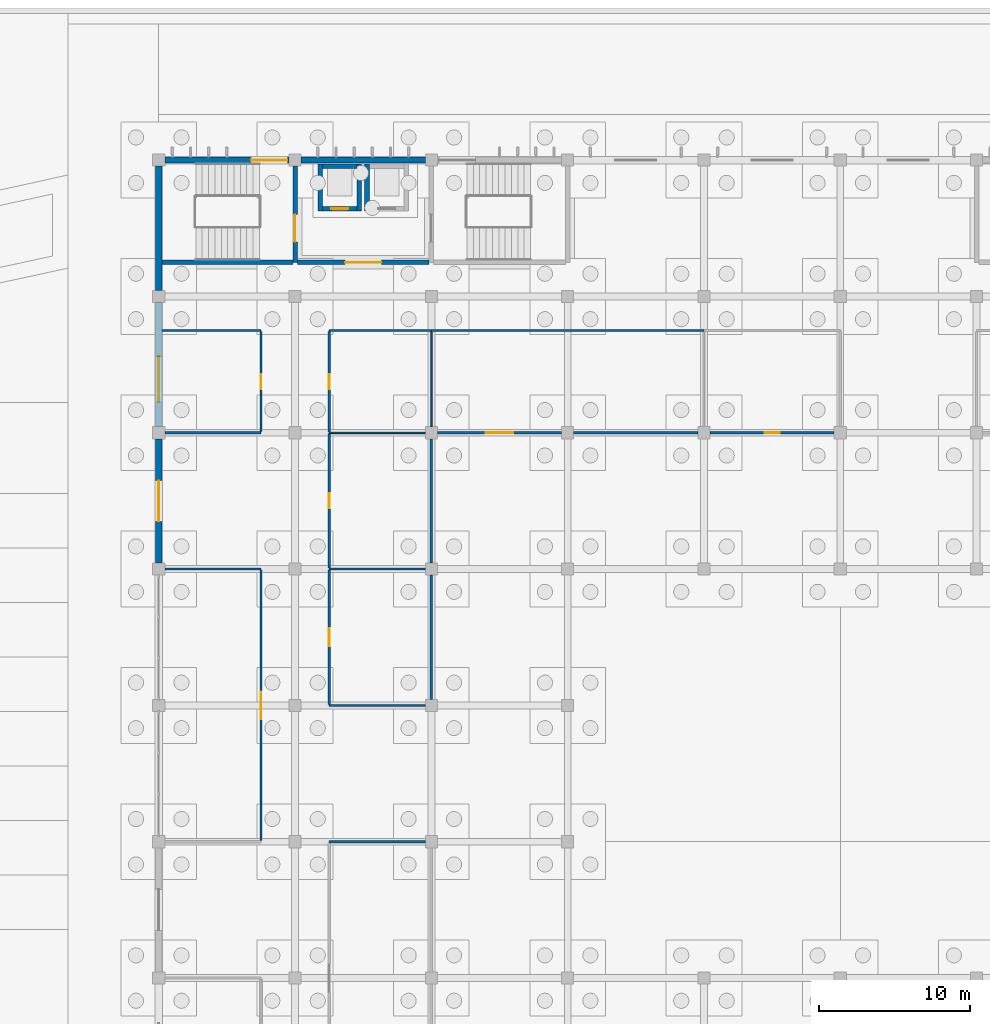
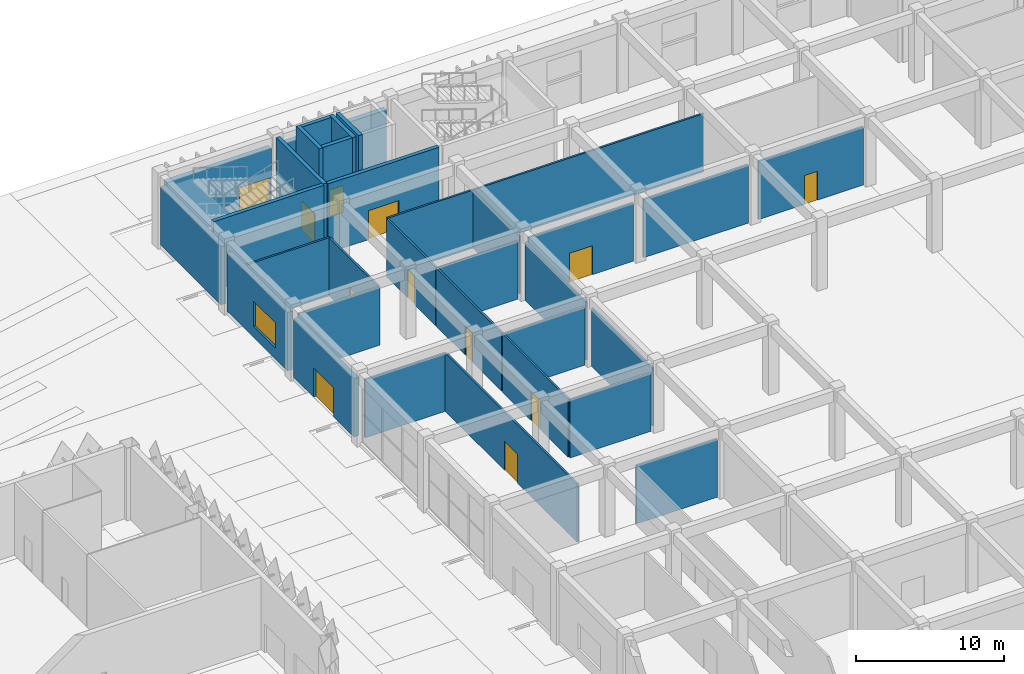
# One storey, part 105 of 198: 33 walls, 12 doors, 1 window, 13 openings.
"""IFC4 building model written with IfcOpenShell, lengths in metres."""

from ifc_helpers import new_model, si_unit, direction, frame, frame_2d, origin, place, context, subcontext, project, spatial, rectangle, extrude, material, layer, layer_set, type_object, element, fill, save


model = new_model("IFC4")

# Units and contexts
model_context = context("Model", 3, precision=1e-05, world=origin(), true_north=direction((0.0, 1.0)))
body_context = subcontext(model_context, "Body", "Model", "MODEL_VIEW")
ifc_project = project(units=[si_unit("LENGTHUNIT", "METRE"), si_unit("AREAUNIT", "SQUARE_METRE"), si_unit("VOLUMEUNIT", "CUBIC_METRE"), si_unit("PLANEANGLEUNIT", "RADIAN"), si_unit("MASSUNIT", "GRAM", prefix="KILO")], contexts=[model_context])

# Site, building, storey
site_placement = place(None, origin())
site = spatial("IfcSite", under=ifc_project, at=site_placement, CompositionType="ELEMENT")
building_placement = place(site_placement, origin())
building = spatial("IfcBuilding", under=site, at=building_placement, Name="Opaline Strait Convention Centre", CompositionType="ELEMENT")
storey_placement = place(building_placement, origin())
storey = spatial("IfcBuildingStorey", under=building, at=storey_placement, Name="L00", CompositionType="ELEMENT", Elevation=0.0)

# Wall
ifc_material_1 = material(Name="Gypsum board")
ifc_layer_1 = layer(ifc_material_1, 0.032470703125)
ifc_material_2 = material(Name="Steel stud and mineral wool", Category="steel")
ifc_layer_2 = layer(ifc_material_2, 0.0849609375)
ifc_layer_3 = layer(ifc_material_1, 0.032470703125)
ifc_layer_set_1 = layer_set([ifc_layer_1, ifc_layer_2, ifc_layer_3], Name="Gypsum board, Steel stud and mineral wool, Gypsum board")
wall_type_1 = type_object("IfcWallType", Name="Corridor partition 150 EI60", PredefinedType="PARTITIONING", material=ifc_layer_set_1)
wall_1_placement = place(storey_placement, frame((279.39990234375, 153.0, 0.0), z_axis=(0.0, 0.0, 1.0), x_axis=(1.0, 0.0, 0.0)))
element("IfcWall", 1, at=wall_1_placement, inside=storey, type_object=wall_type_1, Name="MPW1 partition Delegate Lounge 0.04 N", PredefinedType="PARTITIONING", context=body_context, shape_type="SweptSolid", body=[
    extrude(rectangle(XDim=6.35009765625, YDim=0.14990234375, at=frame_2d((3.175048828125, 0.0))), origin(), (0.0, 0.0, 1.0), 4.820068359375),
])

# Wall, opening, door
wall_2_placement = place(storey_placement, frame((285.75, 135.074951171875, 0.0), z_axis=(0.0, 0.0, 1.0), x_axis=(0.0, 1.0, 0.0)))
wall_2 = element("IfcWall", 2, at=wall_2_placement, inside=storey, type_object=wall_type_1, Name="MPW1 partition Delegate Lounge 0.04 E", PredefinedType="PARTITIONING", context=body_context, shape_type="SweptSolid", body=[
    extrude(rectangle(XDim=17.85009765625, YDim=0.14990234375, at=frame_2d((8.925048828125, 0.0))), origin(), (0.0, 0.0, 1.0), 4.820068359375),
])
opening_1_placement = place(wall_2_placement, frame((8.025146484375, 0.0, 0.0)))
opening_1 = element("IfcOpeningElement", 3, at=opening_1_placement, cuts=wall_2, Name="Opening M0-039", PredefinedType="OPENING", context=body_context, shape_type="SweptSolid", body=[
    extrude(rectangle(XDim=1.800048828125, YDim=2.39990234375, at=frame_2d((0.89990234375, 1.199951171875))), frame((0.0, 0.0849609375, 0.0), z_axis=(0.0, -1.0, 0.0), x_axis=(1.0, 0.0, 0.0)), (0.0, 0.0, 1.0), 0.169921875),
])
ifc_material_3 = material(Name="Solid-core timber leaf, steel frame door set", Category="steel")
door_type_1 = type_object("IfcDoorType", Name="Meeting room double door FD30 1800 x 2400", OperationType="DOUBLE_DOOR_SINGLE_SWING", PredefinedType="DOOR", material=ifc_material_3)
door_1_placement = place(opening_1_placement, frame((1.800048828125, 0.0, 0.0), z_axis=(0.0, 0.0, 1.0), x_axis=(-1.0, 0.0, 0.0)))
door_1 = element("IfcDoor", 4, at=door_1_placement, inside=storey, type_object=door_type_1, Name="Door Delegate Lounge 0.04", ObjectType="MD7", OperationType="DOUBLE_DOOR_SINGLE_SWING", OverallHeight=2.39990234375, OverallWidth=1.800048828125, PredefinedType="DOOR", context=body_context, shape_type="SweptSolid", body=[
    extrude(rectangle(XDim=1.800048828125, YDim=2.39990234375, at=frame_2d((0.89990234375, 1.199951171875))), frame((0.0, 0.02490234375, 0.0), z_axis=(0.0, -1.0, 0.0), x_axis=(1.0, 0.0, 0.0)), (0.0, 0.0, 1.0), 0.050048828125),
])
fill(opening_1, door_1)

# Walls
wall_3_placement = place(storey_placement, frame((279.39990234375, 162.0, 0.0), z_axis=(0.0, 0.0, 1.0), x_axis=(1.0, 0.0, 0.0)))
element("IfcWall", 5, at=wall_3_placement, inside=storey, type_object=wall_type_1, Name="MPW1 partition Organiser Office 0.06 S", PredefinedType="PARTITIONING", context=body_context, shape_type="SweptSolid", body=[
    extrude(rectangle(XDim=6.35009765625, YDim=0.14990234375, at=frame_2d((3.175048828125, 0.0))), origin(), (0.0, 0.0, 1.0), 4.820068359375),
])
wall_4_placement = place(storey_placement, frame((279.199951171875, 168.75, 0.0), z_axis=(0.0, 0.0, 1.0), x_axis=(1.0, 0.0, 0.0)))
element("IfcWall", 6, at=wall_4_placement, inside=storey, type_object=wall_type_1, Name="MPW1 partition Organiser Office 0.06 N", PredefinedType="PARTITIONING", context=body_context, shape_type="SweptSolid", body=[
    extrude(rectangle(XDim=6.550048828125, YDim=0.14990234375, at=frame_2d((3.27490234375, 0.0))), origin(), (0.0, 0.0, 1.0), 4.820068359375),
])

# Wall, opening, door
wall_5_placement = place(storey_placement, frame((285.75, 162.074951171875, 0.0), z_axis=(0.0, 0.0, 1.0), x_axis=(0.0, 1.0, 0.0)))
wall_5 = element("IfcWall", 7, at=wall_5_placement, inside=storey, type_object=wall_type_1, Name="MPW1 partition Organiser Office 0.06 E", PredefinedType="PARTITIONING", context=body_context, shape_type="SweptSolid", body=[
    extrude(rectangle(XDim=6.60009765625, YDim=0.14990234375, at=frame_2d((3.300048828125, 0.0))), origin(), (0.0, 0.0, 1.0), 4.820068359375),
])
opening_2_placement = place(wall_5_placement, frame((2.800048828125, 0.0, 0.0)))
opening_2 = element("IfcOpeningElement", 8, at=opening_2_placement, cuts=wall_5, Name="Opening M0-040", PredefinedType="OPENING", context=body_context, shape_type="SweptSolid", body=[
    extrude(rectangle(XDim=1.0, YDim=2.39990234375, at=frame_2d((0.5, 1.199951171875))), frame((0.0, 0.0849609375, 0.0), z_axis=(0.0, -1.0, 0.0), x_axis=(1.0, 0.0, 0.0)), (0.0, 0.0, 1.0), 0.169921875),
])
door_type_2 = type_object("IfcDoorType", Name="Meeting room door FD30 1000 x 2400", OperationType="SINGLE_SWING_LEFT", PredefinedType="DOOR", material=ifc_material_3)
door_2_placement = place(opening_2_placement, frame((1.0, 0.0, 0.0), z_axis=(0.0, 0.0, 1.0), x_axis=(-1.0, 0.0, 0.0)))
door_2 = element("IfcDoor", 9, at=door_2_placement, inside=storey, type_object=door_type_2, Name="Door Organiser Office 0.06", ObjectType="MD8", OperationType="SINGLE_SWING_LEFT", OverallHeight=2.39990234375, OverallWidth=1.0, PredefinedType="DOOR", context=body_context, shape_type="SweptSolid", body=[
    extrude(rectangle(XDim=1.0, YDim=2.39990234375, at=frame_2d((0.5, 1.199951171875))), frame((0.0, 0.02490234375, 0.0), z_axis=(0.0, -1.0, 0.0), x_axis=(1.0, 0.0, 0.0)), (0.0, 0.0, 1.0), 0.050048828125),
])
fill(opening_2, door_2)

# Wall
wall_6_placement = place(storey_placement, frame((290.25, 135.0, 0.0), z_axis=(0.0, 0.0, 1.0), x_axis=(1.0, 0.0, 0.0)))
element("IfcWall", 10, at=wall_6_placement, inside=storey, type_object=wall_type_1, Name="MPW1 partition Press Room 0.08 N", PredefinedType="PARTITIONING", context=body_context, shape_type="SweptSolid", body=[
    extrude(rectangle(XDim=6.35009765625, YDim=0.14990234375, at=frame_2d((3.175048828125, 0.0))), origin(), (0.0, 0.0, 1.0), 4.820068359375),
])

# Wall, opening, door
wall_7_placement = place(storey_placement, frame((290.25, 153.074951171875, 0.0), z_axis=(0.0, 0.0, 1.0), x_axis=(0.0, 1.0, 0.0)))
wall_7 = element("IfcWall", 11, at=wall_7_placement, inside=storey, type_object=wall_type_1, Name="MPW1 partition Table Store 0.10 W", PredefinedType="PARTITIONING", context=body_context, shape_type="SweptSolid", body=[
    extrude(rectangle(XDim=8.875, YDim=0.14990234375, at=frame_2d((4.4375, 0.0))), origin(), (0.0, 0.0, 1.0), 4.820068359375),
])
opening_3_placement = place(wall_7_placement, frame((3.9375, 0.0, 0.0)))
opening_3 = element("IfcOpeningElement", 12, at=opening_3_placement, cuts=wall_7, Name="Opening M0-044", PredefinedType="OPENING", context=body_context, shape_type="SweptSolid", body=[
    extrude(rectangle(XDim=1.0, YDim=2.39990234375, at=frame_2d((0.5, 1.199951171875))), frame((0.0, 0.0849609375, 0.0), z_axis=(0.0, -1.0, 0.0), x_axis=(1.0, 0.0, 0.0)), (0.0, 0.0, 1.0), 0.169921875),
])
door_3_placement = place(opening_3_placement, origin())
door_3 = element("IfcDoor", 13, at=door_3_placement, inside=storey, type_object=door_type_2, Name="Door Table Store 0.10", ObjectType="MD8", OperationType="SINGLE_SWING_LEFT", OverallHeight=2.39990234375, OverallWidth=1.0, PredefinedType="DOOR", context=body_context, shape_type="SweptSolid", body=[
    extrude(rectangle(XDim=1.0, YDim=2.39990234375, at=frame_2d((0.5, 1.199951171875))), frame((0.0, 0.02490234375, 0.0), z_axis=(0.0, -1.0, 0.0), x_axis=(1.0, 0.0, 0.0)), (0.0, 0.0, 1.0), 0.050048828125),
])
fill(opening_3, door_3)

# Walls
wall_8_placement = place(storey_placement, frame((297.0, 153.39990234375, 0.0), z_axis=(0.0, 0.0, 1.0), x_axis=(0.0, 1.0, 0.0)))
element("IfcWall", 14, at=wall_8_placement, inside=storey, type_object=wall_type_1, Name="MPW1 partition Table Store 0.10 E", PredefinedType="PARTITIONING", context=body_context, shape_type="SweptSolid", body=[
    extrude(rectangle(XDim=8.2001953125, YDim=0.14990234375, at=frame_2d((4.10009765625, 0.0))), origin(), (0.0, 0.0, 1.0), 4.820068359375),
])
wall_9_placement = place(storey_placement, frame((290.25, 168.75, 0.0), z_axis=(0.0, 0.0, 1.0), x_axis=(1.0, 0.0, 0.0)))
element("IfcWall", 15, at=wall_9_placement, inside=storey, type_object=wall_type_1, Name="MPW1 partition Chair Store 0.11 N", PredefinedType="PARTITIONING", context=body_context, shape_type="SweptSolid", body=[
    extrude(rectangle(XDim=6.75, YDim=0.14990234375, at=frame_2d((3.375, 0.0))), origin(), (0.0, 0.0, 1.0), 4.820068359375),
])

# Wall, opening, door
wall_10_placement = place(storey_placement, frame((290.25, 162.050048828125, 0.0), z_axis=(0.0, 0.0, 1.0), x_axis=(0.0, 1.0, 0.0)))
wall_10 = element("IfcWall", 16, at=wall_10_placement, inside=storey, type_object=wall_type_1, Name="MPW1 partition Chair Store 0.11 W", PredefinedType="PARTITIONING", context=body_context, shape_type="SweptSolid", body=[
    extrude(rectangle(XDim=6.625, YDim=0.14990234375, at=frame_2d((3.3125, 0.0))), origin(), (0.0, 0.0, 1.0), 4.820068359375),
])
opening_4_placement = place(wall_10_placement, frame((2.8125, 0.0, 0.0)))
opening_4 = element("IfcOpeningElement", 17, at=opening_4_placement, cuts=wall_10, Name="Opening M0-045", PredefinedType="OPENING", context=body_context, shape_type="SweptSolid", body=[
    extrude(rectangle(XDim=1.0, YDim=2.39990234375, at=frame_2d((0.5, 1.199951171875))), frame((0.0, 0.0849609375, 0.0), z_axis=(0.0, -1.0, 0.0), x_axis=(1.0, 0.0, 0.0)), (0.0, 0.0, 1.0), 0.169921875),
])
door_4_placement = place(opening_4_placement, origin())
door_4 = element("IfcDoor", 18, at=door_4_placement, inside=storey, type_object=door_type_2, Name="Door Chair Store 0.11", ObjectType="MD8", OperationType="SINGLE_SWING_LEFT", OverallHeight=2.39990234375, OverallWidth=1.0, PredefinedType="DOOR", context=body_context, shape_type="SweptSolid", body=[
    extrude(rectangle(XDim=1.0, YDim=2.39990234375, at=frame_2d((0.5, 1.199951171875))), frame((0.0, 0.02490234375, 0.0), z_axis=(0.0, -1.0, 0.0), x_axis=(1.0, 0.0, 0.0)), (0.0, 0.0, 1.0), 0.050048828125),
])
fill(opening_4, door_4)

wall_11_placement = place(storey_placement, frame((297.39990234375, 162.0, 0.0), z_axis=(0.0, 0.0, 1.0), x_axis=(1.0, 0.0, 0.0)))
wall_11 = element("IfcWall", 19, at=wall_11_placement, inside=storey, type_object=wall_type_1, Name="MPW1 partition Information Desk 0.19 S", PredefinedType="PARTITIONING", context=body_context, shape_type="SweptSolid", body=[
    extrude(rectangle(XDim=8.2001953125, YDim=0.14990234375, at=frame_2d((4.10009765625, 0.0))), origin(), (0.0, 0.0, 1.0), 4.820068359375),
])
opening_5_placement = place(wall_11_placement, frame((3.2001953125, 0.0, 0.0)))
opening_5 = element("IfcOpeningElement", 20, at=opening_5_placement, cuts=wall_11, Name="Opening M0-053", PredefinedType="OPENING", context=body_context, shape_type="SweptSolid", body=[
    extrude(rectangle(XDim=1.800048828125, YDim=2.39990234375, at=frame_2d((0.89990234375, 1.199951171875))), frame((0.0, 0.0849609375, 0.0), z_axis=(0.0, -1.0, 0.0), x_axis=(1.0, 0.0, 0.0)), (0.0, 0.0, 1.0), 0.169921875),
])
door_5_placement = place(opening_5_placement, frame((1.800048828125, 0.0, 0.0), z_axis=(0.0, 0.0, 1.0), x_axis=(-1.0, 0.0, 0.0)))
door_5 = element("IfcDoor", 21, at=door_5_placement, inside=storey, type_object=door_type_1, Name="Door Information Desk 0.19", ObjectType="MD7", OperationType="DOUBLE_DOOR_SINGLE_SWING", OverallHeight=2.39990234375, OverallWidth=1.800048828125, PredefinedType="DOOR", context=body_context, shape_type="SweptSolid", body=[
    extrude(rectangle(XDim=1.800048828125, YDim=2.39990234375, at=frame_2d((0.89990234375, 1.199951171875))), frame((0.0, 0.02490234375, 0.0), z_axis=(0.0, -1.0, 0.0), x_axis=(1.0, 0.0, 0.0)), (0.0, 0.0, 1.0), 0.050048828125),
])
fill(opening_5, door_5)

# Walls
wall_12_placement = place(storey_placement, frame((306.39990234375, 162.0, 0.0), z_axis=(0.0, 0.0, 1.0), x_axis=(1.0, 0.0, 0.0)))
element("IfcWall", 22, at=wall_12_placement, inside=storey, type_object=wall_type_1, Name="MPW1 partition Information Desk 0.19 S", PredefinedType="PARTITIONING", context=body_context, shape_type="SweptSolid", body=[
    extrude(rectangle(XDim=8.2001953125, YDim=0.14990234375, at=frame_2d((4.10009765625, 0.0))), origin(), (0.0, 0.0, 1.0), 4.820068359375),
])
wall_13_placement = place(storey_placement, frame((297.0, 168.75, 0.0), z_axis=(0.0, 0.0, 1.0), x_axis=(1.0, 0.0, 0.0)))
element("IfcWall", 23, at=wall_13_placement, inside=storey, type_object=wall_type_1, Name="MPW1 partition Information Desk 0.19 N", PredefinedType="PARTITIONING", context=body_context, shape_type="SweptSolid", body=[
    extrude(rectangle(XDim=18.0, YDim=0.14990234375, at=frame_2d((9.0, 0.0))), origin(), (0.0, 0.0, 1.0), 4.820068359375),
])

# Wall, opening, door
wall_14_placement = place(storey_placement, frame((315.39990234375, 162.0, 0.0), z_axis=(0.0, 0.0, 1.0), x_axis=(1.0, 0.0, 0.0)))
wall_14 = element("IfcWall", 24, at=wall_14_placement, inside=storey, type_object=wall_type_1, Name="MPW1 partition Nursing Room 0.20 S", PredefinedType="PARTITIONING", context=body_context, shape_type="SweptSolid", body=[
    extrude(rectangle(XDim=8.2001953125, YDim=0.14990234375, at=frame_2d((4.10009765625, 0.0))), origin(), (0.0, 0.0, 1.0), 4.820068359375),
])
opening_6_placement = place(wall_14_placement, frame((3.60009765625, 0.0, 0.0)))
opening_6 = element("IfcOpeningElement", 25, at=opening_6_placement, cuts=wall_14, Name="Opening M0-054", PredefinedType="OPENING", context=body_context, shape_type="SweptSolid", body=[
    extrude(rectangle(XDim=1.0, YDim=2.39990234375, at=frame_2d((0.5, 1.199951171875))), frame((0.0, 0.0849609375, 0.0), z_axis=(0.0, -1.0, 0.0), x_axis=(1.0, 0.0, 0.0)), (0.0, 0.0, 1.0), 0.169921875),
])
door_6_placement = place(opening_6_placement, frame((1.0, 0.0, 0.0), z_axis=(0.0, 0.0, 1.0), x_axis=(-1.0, 0.0, 0.0)))
door_6 = element("IfcDoor", 26, at=door_6_placement, inside=storey, type_object=door_type_2, Name="Door Nursing Room 0.20", ObjectType="MD8", OperationType="SINGLE_SWING_LEFT", OverallHeight=2.39990234375, OverallWidth=1.0, PredefinedType="DOOR", context=body_context, shape_type="SweptSolid", body=[
    extrude(rectangle(XDim=1.0, YDim=2.39990234375, at=frame_2d((0.5, 1.199951171875))), frame((0.0, 0.02490234375, 0.0), z_axis=(0.0, -1.0, 0.0), x_axis=(1.0, 0.0, 0.0)), (0.0, 0.0, 1.0), 0.050048828125),
])
fill(opening_6, door_6)

ifc_material_4 = material(Name="Concrete C40 precast", Category="concrete")
ifc_layer_4 = layer(ifc_material_4, 0.10009765625)
ifc_material_5 = material(Name="Mineral wool insulation")
ifc_layer_5 = layer(ifc_material_5, 0.14990234375)
ifc_layer_6 = layer(ifc_material_4, 0.14990234375)
ifc_layer_set_2 = layer_set([ifc_layer_4, ifc_layer_5, ifc_layer_6], Name="Concrete C40 precast, Mineral wool insulation, Concrete C40 precast")
wall_type_2 = type_object("IfcWallType", Name="External wall 400 insulated precast EI60", PredefinedType="STANDARD", material=ifc_layer_set_2)
wall_15_placement = place(storey_placement, frame((279.39990234375, 180.0, 0.0), z_axis=(0.0, 0.0, 1.0), x_axis=(1.0, 0.0, 0.0)))
wall_15 = element("IfcWall", 27, at=wall_15_placement, inside=storey, type_object=wall_type_2, Name="External wall N L00 32/W", PredefinedType="STANDARD", context=body_context, shape_type="SweptSolid", body=[
    extrude(rectangle(XDim=8.2001953125, YDim=0.39990234375, at=frame_2d((4.10009765625, 0.0))), origin(), (0.0, 0.0, 1.0), 4.820068359375),
])
opening_7_placement = place(wall_15_placement, frame((5.7001953125, 0.0, 0.0)))
opening_7 = element("IfcOpeningElement", 28, at=opening_7_placement, cuts=wall_15, Name="Opening M0-005", PredefinedType="OPENING", context=body_context, shape_type="SweptSolid", body=[
    extrude(rectangle(XDim=2.39990234375, YDim=2.39990234375, at=frame_2d((1.199951171875, 1.199951171875))), frame((0.0, 0.2099609375, 0.0), z_axis=(0.0, -1.0, 0.0), x_axis=(1.0, 0.0, 0.0)), (0.0, 0.0, 1.0), 0.419921875),
])
ifc_material_6 = material(Name="Aluminium framed glazed door", Category="aluminium")
door_type_3 = type_object("IfcDoorType", Name="Exit double door glazed 2400 x 2400", OperationType="DOUBLE_DOOR_SINGLE_SWING", PredefinedType="DOOR", material=ifc_material_6)
door_7_placement = place(opening_7_placement, origin())
door_7 = element("IfcDoor", 29, at=door_7_placement, inside=storey, type_object=door_type_3, Name="Stair exit door Escape Stair S5", ObjectType="MD1", OperationType="DOUBLE_DOOR_SINGLE_SWING", OverallHeight=2.39990234375, OverallWidth=2.39990234375, PredefinedType="DOOR", context=body_context, shape_type="SweptSolid", body=[
    extrude(rectangle(XDim=2.39990234375, YDim=2.39990234375, at=frame_2d((1.199951171875, 1.199951171875))), frame((0.0, 0.02490234375, 0.0), z_axis=(0.0, -1.0, 0.0), x_axis=(1.0, 0.0, 0.0)), (0.0, 0.0, 1.0), 0.050048828125),
])
fill(opening_7, door_7)

# Wall
wall_16_placement = place(storey_placement, frame((288.39990234375, 180.0, 0.0), z_axis=(0.0, 0.0, 1.0), x_axis=(1.0, 0.0, 0.0)))
element("IfcWall", 30, at=wall_16_placement, inside=storey, type_object=wall_type_2, Name="External wall N L00 33/W", PredefinedType="STANDARD", context=body_context, shape_type="SweptSolid", body=[
    extrude(rectangle(XDim=8.2001953125, YDim=0.39990234375, at=frame_2d((4.10009765625, 0.0))), origin(), (0.0, 0.0, 1.0), 4.820068359375),
])

# Wall, opening, door
wall_17_placement = place(storey_placement, frame((279.0, 153.39990234375, 0.0), z_axis=(0.0, 0.0, 1.0), x_axis=(0.0, 1.0, 0.0)))
wall_17 = element("IfcWall", 31, at=wall_17_placement, inside=storey, type_object=wall_type_2, Name="External wall W L00 32/T", PredefinedType="STANDARD", context=body_context, shape_type="SweptSolid", body=[
    extrude(rectangle(XDim=8.2001953125, YDim=0.39990234375, at=frame_2d((4.10009765625, 0.0))), origin(), (0.0, 0.0, 1.0), 4.820068359375),
])
opening_8_placement = place(wall_17_placement, frame((2.75, 0.0, 0.0)))
opening_8 = element("IfcOpeningElement", 32, at=opening_8_placement, cuts=wall_17, Name="Opening M0-014", PredefinedType="OPENING", context=body_context, shape_type="SweptSolid", body=[
    extrude(rectangle(XDim=2.699951171875, YDim=2.39990234375, at=frame_2d((1.35009765625, 1.199951171875))), frame((0.0, 0.2099609375, 0.0), z_axis=(0.0, -1.0, 0.0), x_axis=(1.0, 0.0, 0.0)), (0.0, 0.0, 1.0), 0.419921875),
])
ifc_material_7 = material(Name="Fire-resisting glazed aluminium door", Category="aluminium")
door_type_4 = type_object("IfcDoorType", Name="Exit double door FD60 2700 x 2400", OperationType="DOUBLE_DOOR_SINGLE_SWING", PredefinedType="DOOR", material=ifc_material_7)
door_8_placement = place(opening_8_placement, origin())
door_8 = element("IfcDoor", 33, at=door_8_placement, inside=storey, type_object=door_type_4, Name="Exit door Exit Lobby 0.05", ObjectType="MD3", OperationType="DOUBLE_DOOR_SINGLE_SWING", OverallHeight=2.39990234375, OverallWidth=2.699951171875, PredefinedType="DOOR", context=body_context, shape_type="SweptSolid", body=[
    extrude(rectangle(XDim=2.699951171875, YDim=2.39990234375, at=frame_2d((1.35009765625, 1.199951171875))), frame((0.0, 0.02490234375, 0.0), z_axis=(0.0, -1.0, 0.0), x_axis=(1.0, 0.0, 0.0)), (0.0, 0.0, 1.0), 0.050048828125),
])
fill(opening_8, door_8)

# Wall, opening, window
wall_18_placement = place(storey_placement, frame((279.0, 162.39990234375, 0.0), z_axis=(0.0, 0.0, 1.0), x_axis=(0.0, 1.0, 0.0)))
wall_18 = element("IfcWall", 34, at=wall_18_placement, inside=storey, type_object=wall_type_2, Name="External wall W L00 32/U", PredefinedType="STANDARD", context=body_context, shape_type="SweptSolid", body=[
    extrude(rectangle(XDim=8.2001953125, YDim=0.39990234375, at=frame_2d((4.10009765625, 0.0))), origin(), (0.0, 0.0, 1.0), 4.820068359375),
])
opening_9_placement = place(wall_18_placement, frame((1.6376953125, 0.0, 0.89990234375)))
opening_9 = element("IfcOpeningElement", 35, at=opening_9_placement, cuts=wall_18, Name="Opening MW2", PredefinedType="OPENING", context=body_context, shape_type="SweptSolid", body=[
    extrude(rectangle(XDim=3.0, YDim=2.10009765625, at=frame_2d((1.5, 1.050048828125))), frame((0.0, 0.2099609375, 0.0), z_axis=(0.0, -1.0, 0.0), x_axis=(1.0, 0.0, 0.0)), (0.0, 0.0, 1.0), 0.419921875),
])
ifc_material_8 = material(Name="Aluminium framed double glazing", Category="aluminium")
window_type = type_object("IfcWindowType", Name="Window 3000 x 2100", PartitioningType="TRIPLE_PANEL_VERTICAL", PredefinedType="WINDOW", material=ifc_material_8)
window_placement = place(opening_9_placement, origin())
window = element("IfcWindow", 36, at=window_placement, inside=storey, type_object=window_type, Name="Window Organiser Office 0.06 W", OverallHeight=2.10009765625, OverallWidth=3.0, PartitioningType="TRIPLE_PANEL_VERTICAL", PredefinedType="WINDOW", context=body_context, shape_type="SweptSolid", body=[
    extrude(rectangle(XDim=3.0, YDim=2.10009765625, at=frame_2d((1.5, 1.050048828125))), frame((0.0, 0.030029296875, 0.0), z_axis=(0.0, -1.0, 0.0), x_axis=(1.0, 0.0, 0.0)), (0.0, 0.0, 1.0), 0.06005859375),
])
fill(opening_9, window)

# Walls
wall_19_placement = place(storey_placement, frame((279.0, 171.39990234375, 0.0), z_axis=(0.0, 0.0, 1.0), x_axis=(0.0, 1.0, 0.0)))
element("IfcWall", 37, at=wall_19_placement, inside=storey, type_object=wall_type_2, Name="External wall W L00 32/V", PredefinedType="STANDARD", context=body_context, shape_type="SweptSolid", body=[
    extrude(rectangle(XDim=8.2001953125, YDim=0.39990234375, at=frame_2d((4.10009765625, 0.0))), origin(), (0.0, 0.0, 1.0), 4.820068359375),
])
ifc_layer_7 = layer(ifc_material_1, 0.032470703125)
ifc_layer_8 = layer(ifc_material_2, 0.0849609375)
ifc_layer_9 = layer(ifc_material_1, 0.032470703125)
ifc_layer_set_3 = layer_set([ifc_layer_7, ifc_layer_8, ifc_layer_9], Name="Gypsum board, Steel stud and mineral wool, Gypsum board")
wall_type_3 = type_object("IfcWallType", Name="Plant room partition 150 EI120", PredefinedType="PARTITIONING", material=ifc_layer_set_3)
for number, where, z_axis, x_axis, name in (
    (38, (290.25, 144.0, 0.0), (0.0, 0.0, 1.0), (1.0, 0.0, 0.0), "MPW3 partition Electrical Room 0.09 S"),
    (39, (290.25, 153.0, 0.0), (0.0, 0.0, 1.0), (1.0, 0.0, 0.0), "MPW3 partition Electrical Room 0.09 N"),
):
    element("IfcWall", number, at=place(storey_placement, frame(where, z_axis=z_axis, x_axis=x_axis)), inside=storey, type_object=wall_type_3, Name=name, PredefinedType="PARTITIONING", context=body_context, shape_type="SweptSolid", body=[
        extrude(rectangle(XDim=6.35009765625, YDim=0.14990234375, at=frame_2d((3.175048828125, 0.0))), origin(), (0.0, 0.0, 1.0), 4.820068359375),
    ])

# Wall, opening, door
wall_20_placement = place(storey_placement, frame((290.25, 144.074951171875, 0.0), z_axis=(0.0, 0.0, 1.0), x_axis=(0.0, 1.0, 0.0)))
wall_20 = element("IfcWall", 40, at=wall_20_placement, inside=storey, type_object=wall_type_3, Name="MPW3 partition Electrical Room 0.09 W", PredefinedType="PARTITIONING", context=body_context, shape_type="SweptSolid", body=[
    extrude(rectangle(XDim=8.85009765625, YDim=0.14990234375, at=frame_2d((4.425048828125, 0.0))), origin(), (0.0, 0.0, 1.0), 4.820068359375),
])
opening_10_placement = place(wall_20_placement, frame((3.824951171875, 0.0, 0.0)))
opening_10 = element("IfcOpeningElement", 41, at=opening_10_placement, cuts=wall_20, Name="Opening M0-043", PredefinedType="OPENING", context=body_context, shape_type="SweptSolid", body=[
    extrude(rectangle(XDim=1.199951171875, YDim=2.39990234375, at=frame_2d((0.60009765625, 1.199951171875))), frame((0.0, 0.0849609375, 0.0), z_axis=(0.0, -1.0, 0.0), x_axis=(1.0, 0.0, 0.0)), (0.0, 0.0, 1.0), 0.169921875),
])
ifc_material_9 = material(Name="Steel Q235B", Category="steel")
door_type_5 = type_object("IfcDoorType", Name="Plant room door FD60 1200 x 2400", OperationType="SINGLE_SWING_LEFT", PredefinedType="DOOR", material=ifc_material_9)
door_9_placement = place(opening_10_placement, origin())
door_9 = element("IfcDoor", 42, at=door_9_placement, inside=storey, type_object=door_type_5, Name="Door Electrical Room 0.09", ObjectType="MD9", OperationType="SINGLE_SWING_LEFT", OverallHeight=2.39990234375, OverallWidth=1.199951171875, PredefinedType="DOOR", context=body_context, shape_type="SweptSolid", body=[
    extrude(rectangle(XDim=1.199951171875, YDim=2.39990234375, at=frame_2d((0.60009765625, 1.199951171875))), frame((0.0, 0.02490234375, 0.0), z_axis=(0.0, -1.0, 0.0), x_axis=(1.0, 0.0, 0.0)), (0.0, 0.0, 1.0), 0.050048828125),
])
fill(opening_10, door_9)

# Wall
wall_21_placement = place(storey_placement, frame((297.0, 144.39990234375, 0.0), z_axis=(0.0, 0.0, 1.0), x_axis=(0.0, 1.0, 0.0)))
element("IfcWall", 43, at=wall_21_placement, inside=storey, type_object=wall_type_3, Name="MPW3 partition Electrical Room 0.09 E", PredefinedType="PARTITIONING", context=body_context, shape_type="SweptSolid", body=[
    extrude(rectangle(XDim=8.2001953125, YDim=0.14990234375, at=frame_2d((4.10009765625, 0.0))), origin(), (0.0, 0.0, 1.0), 4.820068359375),
])

# Wall, opening, door
ifc_material_10 = material(Name="Concrete C40", Category="concrete")
ifc_layer_10 = layer(ifc_material_10, 0.300048828125)
ifc_layer_set_4 = layer_set([ifc_layer_10], Name="Concrete C40")
wall_type_4 = type_object("IfcWallType", Name="RC core wall 300 C40", PredefinedType="SHEAR", material=ifc_layer_set_4)
wall_22_placement = place(storey_placement, frame((288.0, 173.25, 0.0), z_axis=(0.0, 0.0, 1.0), x_axis=(0.0, 1.0, 0.0)))
wall_22 = element("IfcWall", 44, at=wall_22_placement, inside=storey, type_object=wall_type_4, Name="Core wall NW-L00", PredefinedType="SHEAR", context=body_context, shape_type="SweptSolid", body=[
    extrude(rectangle(XDim=6.35009765625, YDim=0.300048828125, at=frame_2d((3.175048828125, 0.0))), origin(), (0.0, 0.0, 1.0), 5.719970703125),
])
opening_11_placement = place(wall_22_placement, frame((1.35009765625, 0.0, 0.0)))
opening_11 = element("IfcOpeningElement", 45, at=opening_11_placement, cuts=wall_22, Name="Opening M0-028", PredefinedType="OPENING", context=body_context, shape_type="SweptSolid", body=[
    extrude(rectangle(XDim=1.800048828125, YDim=2.39990234375, at=frame_2d((0.89990234375, 1.199951171875))), frame((0.0, 0.159912109375, 0.0), z_axis=(0.0, -1.0, 0.0), x_axis=(1.0, 0.0, 0.0)), (0.0, 0.0, 1.0), 0.320068359375),
])
door_type_6 = type_object("IfcDoorType", Name="Stair door FD60 1800 x 2400", OperationType="DOUBLE_DOOR_SINGLE_SWING", PredefinedType="DOOR", material=ifc_material_9)
door_10_placement = place(opening_11_placement, frame((1.800048828125, 0.0, 0.0), z_axis=(0.0, 0.0, 1.0), x_axis=(-1.0, 0.0, 0.0)))
door_10 = element("IfcDoor", 46, at=door_10_placement, inside=storey, type_object=door_type_6, Name="Escape stair S5 door L00", ObjectType="MD4", OperationType="DOUBLE_DOOR_SINGLE_SWING", OverallHeight=2.39990234375, OverallWidth=1.800048828125, PredefinedType="DOOR", context=body_context, shape_type="SweptSolid", body=[
    extrude(rectangle(XDim=1.800048828125, YDim=2.39990234375, at=frame_2d((0.89990234375, 1.199951171875))), frame((0.0, 0.02490234375, 0.0), z_axis=(0.0, -1.0, 0.0), x_axis=(1.0, 0.0, 0.0)), (0.0, 0.0, 1.0), 0.050048828125),
])
fill(opening_11, door_10)

# Wall
wall_23_placement = place(storey_placement, frame((279.199951171875, 173.25, 0.0), z_axis=(0.0, 0.0, 1.0), x_axis=(1.0, 0.0, 0.0)))
element("IfcWall", 47, at=wall_23_placement, inside=storey, type_object=wall_type_4, Name="Core wall NW-L00", PredefinedType="SHEAR", context=body_context, shape_type="SweptSolid", body=[
    extrude(rectangle(XDim=8.650146484375, YDim=0.300048828125, at=frame_2d((4.3251953125, 0.0))), origin(), (0.0, 0.0, 1.0), 5.719970703125),
])

# Wall, opening, door
wall_24_placement = place(storey_placement, frame((288.14990234375, 173.25, 0.0), z_axis=(0.0, 0.0, 1.0), x_axis=(1.0, 0.0, 0.0)))
wall_24 = element("IfcWall", 48, at=wall_24_placement, inside=storey, type_object=wall_type_4, Name="Core wall NW-L00", PredefinedType="SHEAR", context=body_context, shape_type="SweptSolid", body=[
    extrude(rectangle(XDim=8.7001953125, YDim=0.300048828125, at=frame_2d((4.35009765625, 0.0))), origin(), (0.0, 0.0, 1.0), 5.719970703125),
])
opening_12_placement = place(wall_24_placement, frame((3.150146484375, 0.0, 0.0)))
opening_12 = element("IfcOpeningElement", 49, at=opening_12_placement, cuts=wall_24, Name="Opening M0-030", PredefinedType="OPENING", context=body_context, shape_type="SweptSolid", body=[
    extrude(rectangle(XDim=2.39990234375, YDim=2.39990234375, at=frame_2d((1.199951171875, 1.199951171875))), frame((0.0, 0.159912109375, 0.0), z_axis=(0.0, -1.0, 0.0), x_axis=(1.0, 0.0, 0.0)), (0.0, 0.0, 1.0), 0.320068359375),
])
door_type_7 = type_object("IfcDoorType", Name="Lift lobby double door FD60 2400 x 2400", OperationType="DOUBLE_DOOR_SINGLE_SWING", PredefinedType="DOOR", material=ifc_material_9)
door_11_placement = place(opening_12_placement, frame((2.39990234375, 0.0, 0.0), z_axis=(0.0, 0.0, 1.0), x_axis=(-1.0, 0.0, 0.0)))
door_11 = element("IfcDoor", 50, at=door_11_placement, inside=storey, type_object=door_type_7, Name="Lift lobby NW door L00", ObjectType="MD5", OperationType="DOUBLE_DOOR_SINGLE_SWING", OverallHeight=2.39990234375, OverallWidth=2.39990234375, PredefinedType="DOOR", context=body_context, shape_type="SweptSolid", body=[
    extrude(rectangle(XDim=2.39990234375, YDim=2.39990234375, at=frame_2d((1.199951171875, 1.199951171875))), frame((0.0, 0.02490234375, 0.0), z_axis=(0.0, -1.0, 0.0), x_axis=(1.0, 0.0, 0.0)), (0.0, 0.0, 1.0), 0.050048828125),
])
fill(opening_12, door_11)

# Walls
ifc_layer_11 = layer(ifc_material_10, 0.300048828125)
ifc_layer_set_5 = layer_set([ifc_layer_11], Name="Concrete C40")
wall_type_5 = type_object("IfcWallType", Name="RC lift shaft wall 300 C40", PredefinedType="SHEAR", material=ifc_layer_set_5)
for number, where, z_axis, x_axis, name in (
    (51, (289.64990234375, 176.64990234375, -1.699951171875), (0.0, 0.0, 1.0), (0.0, 1.0, 0.0), "Lift shaft NW1 wall L00"),
    (52, (292.25, 176.64990234375, -1.699951171875), (0.0, 0.0, 1.0), (0.0, 1.0, 0.0), "Lift shaft NW1 wall L00"),
):
    element("IfcWall", number, at=place(storey_placement, frame(where, z_axis=z_axis, x_axis=x_axis)), inside=storey, type_object=wall_type_5, Name=name, PredefinedType="SHEAR", context=body_context, shape_type="SweptSolid", body=[
        extrude(rectangle(XDim=3.10009765625, YDim=0.300048828125, at=frame_2d((1.550048828125, 0.0))), origin(), (0.0, 0.0, 1.0), 7.699951171875),
    ])
wall_25_placement = place(storey_placement, frame((289.800048828125, 179.60009765625, -1.699951171875), z_axis=(0.0, 0.0, 1.0), x_axis=(1.0, 0.0, 0.0)))
element("IfcWall", 53, at=wall_25_placement, inside=storey, type_object=wall_type_5, Name="Lift shaft NW1 wall L00", PredefinedType="SHEAR", context=body_context, shape_type="SweptSolid", body=[
    extrude(rectangle(XDim=2.300048828125, YDim=0.300048828125, at=frame_2d((1.14990234375, 0.0))), origin(), (0.0, 0.0, 1.0), 7.699951171875),
])

# Wall, opening, door
wall_26_placement = place(storey_placement, frame((289.800048828125, 176.800048828125, -1.699951171875), z_axis=(0.0, 0.0, 1.0), x_axis=(1.0, 0.0, 0.0)))
wall_26 = element("IfcWall", 54, at=wall_26_placement, inside=storey, type_object=wall_type_5, Name="Lift shaft NW1 wall L00", PredefinedType="SHEAR", context=body_context, shape_type="SweptSolid", body=[
    extrude(rectangle(XDim=2.300048828125, YDim=0.300048828125, at=frame_2d((1.14990234375, 0.0))), origin(), (0.0, 0.0, 1.0), 7.699951171875),
])
opening_13_placement = place(wall_26_placement, frame((0.599853515625, 0.0, 1.699951171875)))
opening_13 = element("IfcOpeningElement", 55, at=opening_13_placement, cuts=wall_26, Name="Opening M0-031", PredefinedType="OPENING", context=body_context, shape_type="SweptSolid", body=[
    extrude(rectangle(XDim=1.10009765625, YDim=2.199951171875, at=frame_2d((0.550048828125, 1.10009765625))), frame((0.0, 0.159912109375, 0.0), z_axis=(0.0, -1.0, 0.0), x_axis=(1.0, 0.0, 0.0)), (0.0, 0.0, 1.0), 0.320068359375),
])
ifc_material_11 = material(Name="Stainless steel 304", Category="steel")
door_type_8 = type_object("IfcDoorType", Name="Lift landing door FD60 1100 x 2200", OperationType="SLIDING_TO_LEFT", PredefinedType="DOOR", material=ifc_material_11)
door_12_placement = place(opening_13_placement, origin())
door_12 = element("IfcDoor", 56, at=door_12_placement, inside=storey, type_object=door_type_8, Name="Lift landing door NW1 L00", ObjectType="MD6", OperationType="SLIDING_TO_RIGHT", OverallHeight=2.199951171875, OverallWidth=1.10009765625, PredefinedType="DOOR", context=body_context, shape_type="SweptSolid", body=[
    extrude(rectangle(XDim=1.10009765625, YDim=2.199951171875, at=frame_2d((0.550048828125, 1.10009765625))), frame((0.0, 0.02490234375, 0.0), z_axis=(0.0, -1.0, 0.0), x_axis=(1.0, 0.0, 0.0)), (0.0, 0.0, 1.0), 0.050048828125),
])
fill(opening_13, door_12)

# Walls
wall_27_placement = place(storey_placement, frame((292.75, 176.64990234375, -1.699951171875), z_axis=(0.0, 0.0, 1.0), x_axis=(0.0, 1.0, 0.0)))
element("IfcWall", 57, at=wall_27_placement, inside=storey, type_object=wall_type_5, Name="Lift shaft NW2 wall L00", PredefinedType="SHEAR", context=body_context, shape_type="SweptSolid", body=[
    extrude(rectangle(XDim=3.10009765625, YDim=0.300048828125, at=frame_2d((1.550048828125, 0.0))), origin(), (0.0, 0.0, 1.0), 7.699951171875),
])
ifc_layer_12 = layer(ifc_material_1, 0.012451171875)
ifc_layer_13 = layer(ifc_material_2, 0.074951171875)
ifc_layer_14 = layer(ifc_material_1, 0.012451171875)
ifc_layer_set_6 = layer_set([ifc_layer_12, ifc_layer_13, ifc_layer_14], Name="Gypsum board, Steel stud and mineral wool, Gypsum board")
wall_type_6 = type_object("IfcWallType", Name="Room partition 100 EI45", PredefinedType="PARTITIONING", material=ifc_layer_set_6)
wall_28_placement = place(storey_placement, frame((290.25, 162.0, 0.0), z_axis=(0.0, 0.0, 1.0), x_axis=(1.0, 0.0, 0.0)))
element("IfcWall", 58, at=wall_28_placement, inside=storey, type_object=wall_type_6, Name="MPW2 partition Table Store 0.10 N", PredefinedType="PARTITIONING", context=body_context, shape_type="SweptSolid", body=[
    extrude(rectangle(XDim=6.35009765625, YDim=0.10009765625, at=frame_2d((3.175048828125, 0.0))), origin(), (0.0, 0.0, 1.0), 4.820068359375),
])
wall_29_placement = place(storey_placement, frame((297.0, 162.39990234375, 0.0), z_axis=(0.0, 0.0, 1.0), x_axis=(0.0, 1.0, 0.0)))
element("IfcWall", 59, at=wall_29_placement, inside=storey, type_object=wall_type_6, Name="MPW2 partition Chair Store 0.11 E", PredefinedType="PARTITIONING", context=body_context, shape_type="SweptSolid", body=[
    extrude(rectangle(XDim=6.275146484375, YDim=0.10009765625, at=frame_2d((3.1376953125, 0.0))), origin(), (0.0, 0.0, 1.0), 4.820068359375),
])

save(model, "model.ifc")
